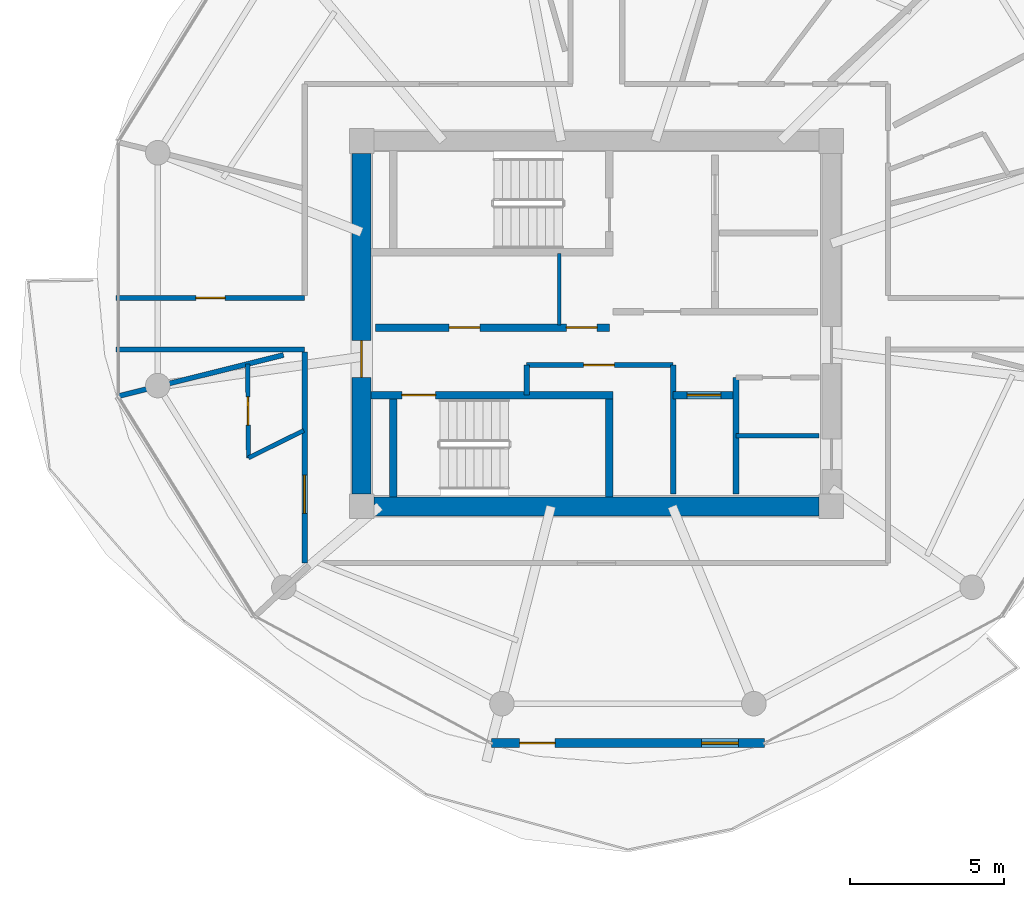
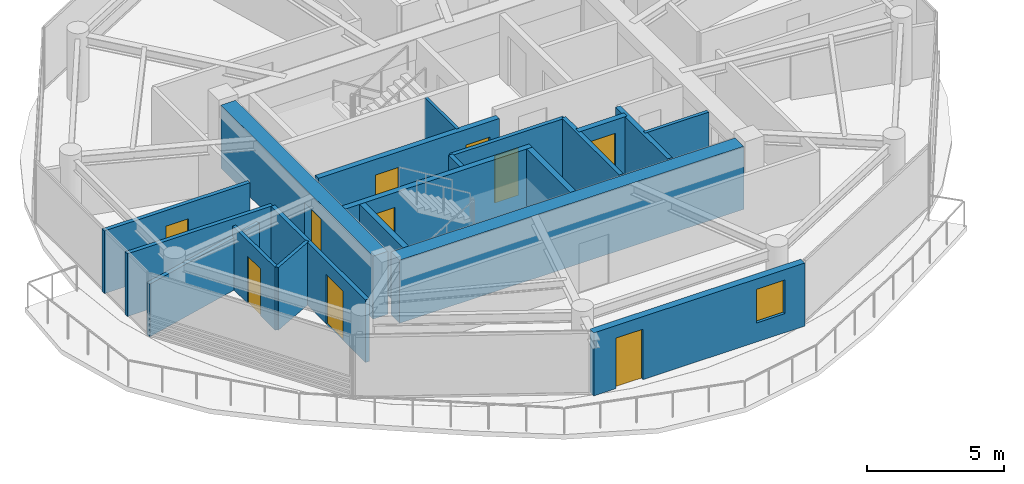
# One storey, part 12 of 22: 20 walls, 10 doors, 1 window, 11 openings.
"""IFC4 building model written with IfcOpenShell, lengths in metres."""

import ifcopenshell
import ifcopenshell.guid

model = None  # the IFC model being written
_history = None  # IfcOwnerHistory: only IFC2X3 demands one
_inside = {}  # id of a spatial element -> (the spatial element, [elements in it])
_under = {}  # id of a project, library or spatial element -> (it, [spatial elements below it])
_declared = {}  # id of a project -> (the project, [libraries it declares])
_typed = {}  # id of a type object -> (the type object, [elements of that type])
_made_of = {}  # id of a material, layer set ... -> (it, [elements and type objects made of it])


def new_model(schema):
    """Start an empty IFC model of exactly this schema.

    Asked for "IFC4X3", IfcOpenShell would pick the latest addendum, in which some entities
    have other attributes; the version numbers below select the first issue.
    IFC2X3 requires an IfcOwnerHistory on every rooted entity: one is made here for all.
    """
    global model, _history
    if schema == "IFC4X3":
        model = ifcopenshell.file(schema_version=(4, 3, 0, 0))
    else:
        model = ifcopenshell.file(schema=schema)
    _inside.clear()
    _under.clear()
    _declared.clear()
    _typed.clear()
    _made_of.clear()
    _history = None
    if model.schema == "IFC2X3":
        org = make("IfcOrganization", Name="unknown")
        user = make(
            "IfcPersonAndOrganization",
            ThePerson=make("IfcPerson", FamilyName="unknown"),
            TheOrganization=org,
        )
        app = make(
            "IfcApplication",
            ApplicationDeveloper=org,
            Version="unknown",
            ApplicationFullName="unknown",
            ApplicationIdentifier="unknown",
        )
        _history = make(
            "IfcOwnerHistory",
            OwningUser=user,
            OwningApplication=app,
            ChangeAction="ADDED",
            CreationDate=0,
        )
    return model


def make(cls, **values):
    """One entity of the class cls with the attributes given. An attribute that is None is left unset."""
    return model.create_entity(
        cls, **{name: value for name, value in values.items() if value is not None}
    )


def rooted(cls, **values):
    """An entity with a GlobalId (a new one), such as an element, a storey or a relation."""
    return make(cls, GlobalId=ifcopenshell.guid.new(), OwnerHistory=_history, **values)


def si_unit(unit_type, name, prefix=None):
    """IfcSIUnit, for example si_unit("LENGTHUNIT", "METRE", prefix="MILLI")."""
    return make("IfcSIUnit", UnitType=unit_type, Prefix=prefix, Name=name)


def assignment(units):
    """IfcUnitAssignment: the units of a project."""
    return None if units is None else make("IfcUnitAssignment", Units=units)


def point(xyz):
    """IfcCartesianPoint."""
    return None if xyz is None else make("IfcCartesianPoint", Coordinates=xyz)


def direction(xyz):
    """IfcDirection."""
    return None if xyz is None else make("IfcDirection", DirectionRatios=xyz)


def frame(location, z_axis=None, x_axis=None):
    """IfcAxis2Placement3D, a coordinate frame: its origin and axes. An axis left out is left unset."""
    return make(
        "IfcAxis2Placement3D",
        Location=point(location),
        Axis=direction(z_axis),
        RefDirection=direction(x_axis),
    )


def frame_2d(location, x_axis=None):
    """IfcAxis2Placement2D, a coordinate frame in the plane: its origin and x axis."""
    return make(
        "IfcAxis2Placement2D", Location=point(location), RefDirection=direction(x_axis)
    )


def origin():
    """The frame at (0, 0, 0) with its axes left unset."""
    return frame((0.0, 0.0, 0.0))


def place(relative_to, where):
    """IfcLocalPlacement: puts the frame where relative to a parent placement (None: the world)."""
    return make(
        "IfcLocalPlacement", PlacementRelTo=relative_to, RelativePlacement=where
    )


def context(
    kind, dimensions, precision=None, world=None, true_north=None, identifier=None
):
    """IfcGeometricRepresentationContext, for example the 3D "Model" context."""
    return make(
        "IfcGeometricRepresentationContext",
        ContextIdentifier=identifier,
        ContextType=kind,
        CoordinateSpaceDimension=dimensions,
        Precision=precision,
        WorldCoordinateSystem=world,
        TrueNorth=true_north,
    )


def subcontext(parent, identifier, kind, view, scale=None):
    """IfcGeometricRepresentationSubContext, for example "Body" below "Model"."""
    return make(
        "IfcGeometricRepresentationSubContext",
        ContextIdentifier=identifier,
        ContextType=kind,
        ParentContext=parent,
        TargetScale=scale,
        TargetView=view,
    )


def project(units=None, contexts=None):
    """IfcProject with its units and contexts."""
    return rooted(
        "IfcProject",
        Name="project",
        RepresentationContexts=contexts,
        UnitsInContext=assignment(units),
    )


def spatial(cls, under=None, at=None, **own):
    """A site, building, storey or space (cls), placed at a placement, below another one or the project."""
    s = rooted(cls, ObjectPlacement=at, **own)
    if under is not None:
        _under.setdefault(under.id(), (under, []))[1].append(s)
    return s


def profile(cls, at=None, kind="AREA", **sizes):
    """A parametric profile (cls). Its sizes go by their IFC names, for example OverallWidth=200.0."""
    return make(cls, ProfileType=kind, Position=at, **sizes)


def rectangle(**sizes):
    """IfcRectangleProfileDef."""
    return profile("IfcRectangleProfileDef", **sizes)


def extrude(swept, where, along, depth):
    """IfcExtrudedAreaSolid: the profile swept, set in the frame where, extruded along a direction by depth."""
    return make(
        "IfcExtrudedAreaSolid",
        SweptArea=swept,
        Position=where,
        ExtrudedDirection=direction(along),
        Depth=depth,
    )


def shape(context_of_items, identifier, shape_type, items):
    """IfcShapeRepresentation: the items that make up one representation, for example the "Body"."""
    return make(
        "IfcShapeRepresentation",
        ContextOfItems=context_of_items,
        RepresentationIdentifier=identifier,
        RepresentationType=shape_type,
        Items=items,
    )


def source(mapping_origin, context_of_items, identifier, shape_type, items):
    """IfcRepresentationMap: a shape defined once, which mapped items show again and again."""
    return make(
        "IfcRepresentationMap",
        MappingOrigin=mapping_origin,
        MappedRepresentation=shape(context_of_items, identifier, shape_type, items),
    )


def transform(
    local_origin,
    x_axis=None,
    y_axis=None,
    z_axis=None,
    scale=None,
    scale2=None,
    scale3=None,
    uniform=True,
):
    """IfcCartesianTransformationOperator3D, or its non-uniform kind. x_axis, y_axis, z_axis: its Axis1, 2, 3."""
    if uniform:
        return make(
            "IfcCartesianTransformationOperator3D",
            Axis1=direction(x_axis),
            Axis2=direction(y_axis),
            LocalOrigin=point(local_origin),
            Scale=scale,
            Axis3=direction(z_axis),
        )
    return make(
        "IfcCartesianTransformationOperator3DnonUniform",
        Axis1=direction(x_axis),
        Axis2=direction(y_axis),
        LocalOrigin=point(local_origin),
        Scale=scale,
        Axis3=direction(z_axis),
        Scale2=scale2,
        Scale3=scale3,
    )


def mapped(mapping_source, mapping_target):
    """IfcMappedItem: shows the shape of a source again, moved by a transform."""
    return make(
        "IfcMappedItem", MappingSource=mapping_source, MappingTarget=mapping_target
    )


def material(Name=None, Category=None):
    """IfcMaterial."""
    return make("IfcMaterial", Name=Name, Category=Category)


def layer(
    of_material, thickness, ventilated=None, Name=None, Category=None, Priority=None
):
    """IfcMaterialLayer: one layer of a wall or slab, of a material (None: an air gap)."""
    return make(
        "IfcMaterialLayer",
        Material=of_material,
        LayerThickness=thickness,
        IsVentilated=ventilated,
        Name=Name,
        Category=Category,
        Priority=Priority,
    )


def layer_set(layers, Name=None):
    """IfcMaterialLayerSet."""
    return make("IfcMaterialLayerSet", MaterialLayers=layers, LayerSetName=Name)


def made_of(thing, what):
    """Note that an element or type object is made of a material, layer set ...; save() writes the relation."""
    if what is not None:
        _made_of.setdefault(what.id(), (what, []))[1].append(thing)
    return thing


def type_object(cls, material=None, **own):
    """A type object (cls), such as IfcWallType, which elements share."""
    return made_of(rooted(cls, **own), material)


def type_shapes(of_type, sources):
    """Give a type object the sources (RepresentationMaps) that its elements show as mapped items."""
    of_type.RepresentationMaps = sources


def element(
    cls,
    number,
    at=None,
    inside=None,
    cuts=None,
    type_object=None,
    material=None,
    context=None,
    identifier="Body",
    shape_type=None,
    held_by="IfcProductDefinitionShape",
    body=None,
    shapes=None,
    **own,
):
    """One element of the class cls, such as IfcWall. Its Tag is "e" and its number.

    at: its placement. inside: the storey or other place that contains it. cuts: it is an
    opening in that element (IfcRelVoidsElement). A single representation is given by context,
    identifier, shape_type and body (its items); several are given by shapes. held_by: the class
    of the entity that holds the representations. save() writes the other relations.
    """
    e = rooted(cls, Tag="e%d" % number, ObjectPlacement=at, **own)
    if body is not None:
        shapes = [shape(context, identifier, shape_type, body)]
    if shapes is not None:
        e.Representation = make(held_by, Representations=shapes)
    if inside is not None:
        _inside.setdefault(inside.id(), (inside, []))[1].append(e)
    if cuts is not None:
        rooted(
            "IfcRelVoidsElement", RelatingBuildingElement=cuts, RelatedOpeningElement=e
        )
    if type_object is not None:
        _typed.setdefault(type_object.id(), (type_object, []))[1].append(e)
    return made_of(e, material)


def fill(opening, filler):
    """IfcRelFillsElement: the door or window that sits in an opening."""
    return rooted(
        "IfcRelFillsElement",
        RelatingOpeningElement=opening,
        RelatedBuildingElement=filler,
    )


def aggregate(whole, parts):
    """IfcRelAggregates: a whole, such as a stair, and the parts it consists of."""
    return rooted("IfcRelAggregates", RelatingObject=whole, RelatedObjects=parts)


def save(model, path):
    """Write the relations noted so far, then the file.

    IfcRelAggregates (storeys below a building ...), IfcRelContainedInSpatialStructure (elements
    in a storey), IfcRelDefinesByType, IfcRelAssociatesMaterial and IfcRelDeclares: one each for
    every whole, place, type object, material and project.
    """
    for whole, parts in _under.values():
        aggregate(whole, parts)
    for where, things in _inside.values():
        rooted(
            "IfcRelContainedInSpatialStructure",
            RelatedElements=things,
            RelatingStructure=where,
        )
    for kind, things in _typed.values():
        rooted("IfcRelDefinesByType", RelatedObjects=things, RelatingType=kind)
    for what, things in _made_of.values():
        rooted("IfcRelAssociatesMaterial", RelatedObjects=things, RelatingMaterial=what)
    for by, libraries in _declared.values():
        rooted("IfcRelDeclares", RelatingContext=by, RelatedDefinitions=libraries)
    model.write(path)


model = new_model("IFC4")

# Units and contexts
model_context = context("Model", 3, precision=1e-05, world=origin(), true_north=direction((0.0, 1.0)))
body_context = subcontext(model_context, "Body", "Model", "MODEL_VIEW")
ifc_project = project(units=[si_unit("LENGTHUNIT", "METRE"), si_unit("AREAUNIT", "SQUARE_METRE"), si_unit("VOLUMEUNIT", "CUBIC_METRE"), si_unit("PLANEANGLEUNIT", "RADIAN"), si_unit("MASSUNIT", "GRAM", prefix="KILO")], contexts=[model_context])

# Site, building, storey
site_placement = place(None, origin())
site = spatial("IfcSite", under=ifc_project, at=site_placement, CompositionType="ELEMENT")
building_placement = place(site_placement, origin())
building = spatial("IfcBuilding", under=site, at=building_placement, Name="Norrkilde Senior Care Towers", CompositionType="ELEMENT")
storey_placement = place(building_placement, frame((0.0, 0.0, 167.85009765625)))
storey = spatial("IfcBuildingStorey", under=building, at=storey_placement, Name="L52", CompositionType="ELEMENT", Elevation=167.85009765625)

# Wall
ifc_material_1 = material(Name="Concrete C50/60", Category="concrete")
ifc_layer_1 = layer(ifc_material_1, 0.6201171875)
ifc_layer_set_1 = layer_set([ifc_layer_1], Name="Concrete C50/60")
wall_type_1 = type_object("IfcWallType", Name="Core Shear Wall Z3 620", PredefinedType="SHEAR", material=ifc_layer_set_1)
shared_shape_1 = source(origin(), body_context, "Body", "SweptSolid", [
    extrude(rectangle(XDim=14.5, YDim=0.6201171875, at=frame_2d((7.25, 0.0))), origin(), (0.0, 0.0, 1.0), 2.809814453125),
])
wall_1_placement = place(storey_placement, frame((-20.75, -5.949951171875, 0.0), z_axis=(0.0, 0.0, 1.0), x_axis=(-1.0, 0.0, 0.0)))
element("IfcWall", 1, at=wall_1_placement, inside=storey, type_object=wall_type_1, Name="L52 Core W South Shear Wall", PredefinedType="SHEAR", context=body_context, shape_type="MappedRepresentation", body=[
    mapped(shared_shape_1, transform((0.0, 0.0, 0.0), x_axis=(1.0, 0.0, 0.0), y_axis=(0.0, 1.0, 0.0), z_axis=(0.0, 0.0, 1.0), scale=1.0)),
])

# Wall, opening, door
shared_shape_2 = source(origin(), body_context, "Body", "SweptSolid", [
    extrude(rectangle(XDim=11.10009765625, YDim=0.6201171875, at=frame_2d((5.550048828125, 0.0))), origin(), (0.0, 0.0, 1.0), 2.809814453125),
])
type_shapes(wall_type_1, [shared_shape_1, shared_shape_2])
wall_2_placement = place(storey_placement, frame((-35.64990234375, -5.550048828125, 0.0), z_axis=(0.0, 0.0, 1.0), x_axis=(0.0, 1.0, 0.0)))
wall_2 = element("IfcWall", 2, at=wall_2_placement, inside=storey, type_object=wall_type_1, Name="L52 Core W West Shear Wall", PredefinedType="SHEAR", context=body_context, shape_type="MappedRepresentation", body=[
    mapped(shared_shape_2, transform((0.0, 0.0, 0.0), x_axis=(1.0, 0.0, 0.0), y_axis=(0.0, 1.0, 0.0), z_axis=(0.0, 0.0, 1.0), scale=1.0)),
])
opening_1_placement = place(wall_2_placement, frame((3.800048828125, 0.0, 0.0)))
opening_1 = element("IfcOpeningElement", 3, at=opening_1_placement, cuts=wall_2, Name="Opening D-04", PredefinedType="OPENING", context=body_context, shape_type="SweptSolid", body=[
    extrude(rectangle(XDim=1.199951171875, YDim=2.14990234375, at=frame_2d((0.60009765625, 1.074951171875))), frame((0.0, 0.320068359375, 0.0), z_axis=(0.0, -1.0, 0.0), x_axis=(1.0, 0.0, 0.0)), (0.0, 0.0, 1.0), 0.64013671875),
])
ifc_material_2 = material(Name="Galvanised Painted Steel", Category="steel")
door_type_1 = type_object("IfcDoorType", Name="Firefighting Lobby Fire Door 1200x2150", OperationType="NOTDEFINED", PredefinedType="DOOR", material=ifc_material_2)
shared_shape_3 = source(origin(), body_context, "Body", "SweptSolid", [
    extrude(rectangle(XDim=1.199951171875, YDim=2.14990234375, at=frame_2d((0.60009765625, 1.074951171875))), frame((0.0, 0.02490234375, 0.0), z_axis=(0.0, -1.0, 0.0), x_axis=(1.0, 0.0, 0.0)), (0.0, 0.0, 1.0), 0.050048828125),
])
type_shapes(door_type_1, [shared_shape_3])
door_1_placement = place(opening_1_placement, frame((1.199951171875, 0.0, 0.0), z_axis=(0.0, 0.0, 1.0), x_axis=(-1.0, 0.0, 0.0)))
door_1 = element("IfcDoor", 4, at=door_1_placement, inside=storey, type_object=door_type_1, Name="L52 Core W West Portal Door", OperationType="SINGLE_SWING_LEFT", OverallHeight=2.14990234375, OverallWidth=1.199951171875, PredefinedType="DOOR", context=body_context, shape_type="MappedRepresentation", body=[
    mapped(shared_shape_3, transform((0.0, 0.0, 0.0), x_axis=(1.0, 0.0, 0.0), y_axis=(0.0, 1.0, 0.0), z_axis=(0.0, 0.0, 1.0), scale=1.0)),
])
fill(opening_1, door_1)

# Wall, openings, door, window
ifc_material_3 = material(Name="Precast concrete C45/55", Category="concrete")
ifc_layer_2 = layer(ifc_material_3, 0.2900390625)
ifc_layer_set_2 = layer_set([ifc_layer_2], Name="Precast concrete C45/55")
wall_type_2 = type_object("IfcWallType", Name="Winter Garden Facade Wall 290", PredefinedType="SOLIDWALL", material=ifc_layer_set_2)
shared_shape_4 = source(origin(), body_context, "Body", "SweptSolid", [
    extrude(rectangle(XDim=8.89306640625, YDim=0.2900390625, at=frame_2d((4.446533203125, 0.0))), origin(), (0.0, 0.0, 1.0), 2.809814453125),
])
type_shapes(wall_type_2, [shared_shape_4])
wall_3_placement = place(storey_placement, frame((-22.528564453125, -13.66015625, 0.0), z_axis=(0.0, 0.0, 1.0), x_axis=(-1.0, 0.0, 0.0)))
wall_3 = element("IfcWall", 5, at=wall_3_placement, inside=storey, type_object=wall_type_2, Name="L52 Drum W Balcony Access Wall 08", PredefinedType="SOLIDWALL", context=body_context, shape_type="MappedRepresentation", body=[
    mapped(shared_shape_4, transform((0.0, 0.0, 0.0), x_axis=(1.0, 0.0, 0.0), y_axis=(0.0, 1.0, 0.0), z_axis=(0.0, 0.0, 1.0), scale=1.0)),
])
opening_2_placement = place(wall_3_placement, frame((6.820068359375, 0.0, 0.0)))
opening_2 = element("IfcOpeningElement", 6, at=opening_2_placement, cuts=wall_3, Name="Opening D-09", PredefinedType="OPENING", context=body_context, shape_type="SweptSolid", body=[
    extrude(rectangle(XDim=1.14990234375, YDim=2.25, at=frame_2d((0.574951171875, 1.125))), frame((0.0, 0.155029296875, 0.0), z_axis=(0.0, -1.0, 0.0), x_axis=(1.0, 0.0, 0.0)), (0.0, 0.0, 1.0), 0.31005859375),
])
opening_3_placement = place(wall_3_placement, frame((0.85009765625, 0.0, 0.85009765625)))
opening_3 = element("IfcOpeningElement", 7, at=opening_3_placement, cuts=wall_3, Name="Opening WN-07", PredefinedType="OPENING", context=body_context, shape_type="SweptSolid", body=[
    extrude(rectangle(XDim=1.199951171875, YDim=1.5, at=frame_2d((0.60009765625, 0.75))), frame((0.0, 0.155029296875, 0.0), z_axis=(0.0, -1.0, 0.0), x_axis=(1.0, 0.0, 0.0)), (0.0, 0.0, 1.0), 0.31005859375),
])
ifc_material_4 = material(Name="Anodised Aluminium", Category="aluminium")
door_type_2 = type_object("IfcDoorType", Name="Terrace and Balcony Glazed Door 1150x2250", OperationType="NOTDEFINED", PredefinedType="DOOR", material=ifc_material_4)
shared_shape_5 = source(origin(), body_context, "Body", "SweptSolid", [
    extrude(rectangle(XDim=1.14990234375, YDim=2.25, at=frame_2d((0.574951171875, 1.125))), frame((0.0, 0.02490234375, 0.0), z_axis=(0.0, -1.0, 0.0), x_axis=(1.0, 0.0, 0.0)), (0.0, 0.0, 1.0), 0.050048828125),
])
type_shapes(door_type_2, [shared_shape_5])
door_2_placement = place(opening_2_placement, origin())
door_2 = element("IfcDoor", 8, at=door_2_placement, inside=storey, type_object=door_type_2, Name="L52 Drum W Outdoor Terrace Door 08", OperationType="SINGLE_SWING_LEFT", OverallHeight=2.25, OverallWidth=1.14990234375, PredefinedType="DOOR", context=body_context, shape_type="MappedRepresentation", body=[
    mapped(shared_shape_5, transform((0.0, 0.0, 0.0), x_axis=(1.0, 0.0, 0.0), y_axis=(0.0, 1.0, 0.0), z_axis=(0.0, 0.0, 1.0), scale=1.0)),
])
fill(opening_2, door_2)
ifc_material_5 = material(Name="Triple Low-E Insulated Glazing", Category="glass")
window_type = type_object("IfcWindowType", Name="Stairwell Smoke Vent Window 1200x1500", PartitioningType="SINGLE_PANEL", PredefinedType="WINDOW", material=ifc_material_5)
shared_shape_6 = source(origin(), body_context, "Body", "SweptSolid", [
    extrude(rectangle(XDim=1.199951171875, YDim=1.5, at=frame_2d((0.60009765625, 0.75))), frame((0.0, 0.030029296875, 0.0), z_axis=(0.0, -1.0, 0.0), x_axis=(1.0, 0.0, 0.0)), (0.0, 0.0, 1.0), 0.06005859375),
])
type_shapes(window_type, [shared_shape_6])
window_placement = place(opening_3_placement, origin())
window = element("IfcWindow", 9, at=window_placement, inside=storey, type_object=window_type, Name="L52 Drum W Winter Garden Window 08", OverallHeight=1.5, OverallWidth=1.199951171875, PartitioningType="SINGLE_PANEL", PredefinedType="WINDOW", context=body_context, shape_type="MappedRepresentation", body=[
    mapped(shared_shape_6, transform((0.0, 0.0, 0.0), x_axis=(1.0, 0.0, 0.0), y_axis=(0.0, 1.0, 0.0), z_axis=(0.0, 0.0, 1.0), scale=1.0)),
])
fill(opening_3, window)

# Wall, openings, doors
ifc_material_6 = material(Name="Concrete C45/55", Category="concrete")
ifc_layer_3 = layer(ifc_material_6, 0.239990234375)
ifc_layer_set_3 = layer_set([ifc_layer_3], Name="Concrete C45/55")
wall_type_3 = type_object("IfcWallType", Name="Lift and Plant Rated Enclosure Partition 240", PredefinedType="PARTITIONING", material=ifc_layer_set_3)
shared_shape_7 = source(origin(), body_context, "Body", "SweptSolid", [
    extrude(rectangle(XDim=7.619873046875, YDim=0.239990234375, at=frame_2d((3.81005859375, 0.0))), origin(), (0.0, 0.0, 1.0), 2.794921875),
])
wall_4_placement = place(storey_placement, frame((-35.199951171875, -0.1298828125, 0.0), z_axis=(0.0, 0.0, 1.0), x_axis=(1.0, 0.0, 0.0)))
wall_4 = element("IfcWall", 10, at=wall_4_placement, inside=storey, type_object=wall_type_3, Name="WL-INT-L52-W-PKAS", PredefinedType="PARTITIONING", context=body_context, shape_type="MappedRepresentation", body=[
    mapped(shared_shape_7, transform((0.0, 0.0, 0.0), x_axis=(1.0, 0.0, 0.0), y_axis=(0.0, 1.0, 0.0), z_axis=(0.0, 0.0, 1.0), scale=1.0)),
])
opening_4_placement = place(wall_4_placement, frame((6.219970703125, 0.0, 0.0)))
opening_4 = element("IfcOpeningElement", 11, at=opening_4_placement, cuts=wall_4, Name="Opening D-10", PredefinedType="OPENING", context=body_context, shape_type="SweptSolid", body=[
    extrude(rectangle(XDim=1.0, YDim=2.10009765625, at=frame_2d((0.5, 1.050048828125))), frame((0.0, 0.1298828125, 0.0), z_axis=(0.0, -1.0, 0.0), x_axis=(1.0, 0.0, 0.0)), (0.0, 0.0, 1.0), 0.260009765625),
])
opening_5_placement = place(wall_4_placement, frame((2.39990234375, 0.0, 0.0)))
opening_5 = element("IfcOpeningElement", 12, at=opening_5_placement, cuts=wall_4, Name="Opening D-10", PredefinedType="OPENING", context=body_context, shape_type="SweptSolid", body=[
    extrude(rectangle(XDim=1.0, YDim=2.10009765625, at=frame_2d((0.5, 1.050048828125))), frame((0.0, 0.1298828125, 0.0), z_axis=(0.0, -1.0, 0.0), x_axis=(1.0, 0.0, 0.0)), (0.0, 0.0, 1.0), 0.260009765625),
])
door_type_3 = type_object("IfcDoorType", Name="Plant and Riser Rated Door 1000x2100", OperationType="NOTDEFINED", PredefinedType="DOOR", material=ifc_material_2)
shared_shape_8 = source(origin(), body_context, "Body", "SweptSolid", [
    extrude(rectangle(XDim=1.0, YDim=2.10009765625, at=frame_2d((0.5, 1.050048828125))), frame((0.0, 0.02490234375, 0.0), z_axis=(0.0, -1.0, 0.0), x_axis=(1.0, 0.0, 0.0)), (0.0, 0.0, 1.0), 0.050048828125),
])
type_shapes(door_type_3, [shared_shape_8])
door_3_placement = place(opening_4_placement, frame((1.0, 0.0, 0.0), z_axis=(0.0, 0.0, 1.0), x_axis=(-1.0, 0.0, 0.0)))
door_3 = element("IfcDoor", 13, at=door_3_placement, inside=storey, type_object=door_type_3, Name="L52 Electrical Riser W Door", OperationType="SINGLE_SWING_LEFT", OverallHeight=2.10009765625, OverallWidth=1.0, PredefinedType="DOOR", context=body_context, shape_type="MappedRepresentation", body=[
    mapped(shared_shape_8, transform((0.0, 0.0, 0.0), x_axis=(1.0, 0.0, 0.0), y_axis=(0.0, 1.0, 0.0), z_axis=(0.0, 0.0, 1.0), scale=1.0)),
])
fill(opening_4, door_3)
door_4_placement = place(opening_5_placement, frame((1.0, 0.0, 0.0), z_axis=(0.0, 0.0, 1.0), x_axis=(-1.0, 0.0, 0.0)))
door_4 = element("IfcDoor", 14, at=door_4_placement, inside=storey, type_object=door_type_3, Name="L52 Clean Supply Store W Door", OperationType="SINGLE_SWING_LEFT", OverallHeight=2.10009765625, OverallWidth=1.0, PredefinedType="DOOR", context=body_context, shape_type="MappedRepresentation", body=[
    mapped(shared_shape_8, transform((0.0, 0.0, 0.0), x_axis=(1.0, 0.0, 0.0), y_axis=(0.0, 1.0, 0.0), z_axis=(0.0, 0.0, 1.0), scale=1.0)),
])
fill(opening_5, door_4)

# Walls
ifc_material_7 = material(Name="Gypsum Acoustic Board")
ifc_layer_4 = layer(ifc_material_7, 0.114990234375)
ifc_layer_set_4 = layer_set([ifc_layer_4], Name="Gypsum Acoustic Board")
wall_type_4 = type_object("IfcWallType", Name="Internal Room Partition 115", PredefinedType="PARTITIONING", material=ifc_layer_set_4)
shared_shape_9 = source(origin(), body_context, "Body", "SweptSolid", [
    extrude(rectangle(XDim=2.330078125, YDim=0.114990234375, at=frame_2d((1.1650390625, 0.0))), origin(), (0.0, 0.0, 1.0), 2.794921875),
])
type_shapes(wall_type_4, [shared_shape_9])
wall_5_placement = place(storey_placement, frame((-29.2099609375, -0.050048828125, 0.0), z_axis=(0.0, 0.0, 1.0), x_axis=(0.0, 1.0, 0.0)))
element("IfcWall", 15, at=wall_5_placement, inside=storey, type_object=wall_type_4, Name="WL-INT-L52-W-RISW", PredefinedType="PARTITIONING", context=body_context, shape_type="MappedRepresentation", body=[
    mapped(shared_shape_9, transform((0.0, 0.0, 0.0), x_axis=(1.0, 0.0, 0.0), y_axis=(0.0, 1.0, 0.0), z_axis=(0.0, 0.0, 1.0), scale=1.0)),
])
ifc_layer_5 = layer(ifc_material_6, 0.199951171875)
ifc_layer_set_5 = layer_set([ifc_layer_5], Name="Concrete C45/55")
wall_type_5 = type_object("IfcWallType", Name="Shaft Division and Plant Partition 200", PredefinedType="PARTITIONING", material=ifc_layer_set_5)
shared_shape_10 = source(origin(), body_context, "Body", "SweptSolid", [
    extrude(rectangle(XDim=3.800048828125, YDim=0.199951171875, at=frame_2d((1.89990234375, 0.0))), origin(), (0.0, 0.0, 1.0), 2.794921875),
])
type_shapes(wall_type_5, [shared_shape_10])
wall_6_placement = place(storey_placement, frame((-23.449951171875, -5.550048828125, 0.0), z_axis=(0.0, 0.0, 1.0), x_axis=(0.0, 1.0, 0.0)))
element("IfcWall", 16, at=wall_6_placement, inside=storey, type_object=wall_type_5, Name="WL-INT-L52-W-PKBE", PredefinedType="PARTITIONING", context=body_context, shape_type="MappedRepresentation", body=[
    mapped(shared_shape_10, transform((0.0, 0.0, 0.0), x_axis=(1.0, 0.0, 0.0), y_axis=(0.0, 1.0, 0.0), z_axis=(0.0, 0.0, 1.0), scale=1.0)),
])
ifc_layer_6 = layer(ifc_material_7, 0.139892578125)
ifc_layer_set_6 = layer_set([ifc_layer_6], Name="Gypsum Acoustic Board")
wall_type_6 = type_object("IfcWallType", Name="En-suite Wet Room Wall 140", PredefinedType="PARTITIONING", material=ifc_layer_set_6)
shared_shape_11 = source(origin(), body_context, "Body", "SweptSolid", [
    extrude(rectangle(XDim=2.699951171875, YDim=0.139892578125, at=frame_2d((1.35009765625, 0.0))), origin(), (0.0, 0.0, 1.0), 2.794921875),
])
wall_7_placement = place(storey_placement, frame((-23.449951171875, -3.64990234375, 0.0), z_axis=(0.0, 0.0, 1.0), x_axis=(1.0, 0.0, 0.0)))
element("IfcWall", 17, at=wall_7_placement, inside=storey, type_object=wall_type_6, Name="WL-INT-L52-W-CS2H", PredefinedType="PARTITIONING", context=body_context, shape_type="MappedRepresentation", body=[
    mapped(shared_shape_11, transform((0.0, 0.0, 0.0), x_axis=(1.0, 0.0, 0.0), y_axis=(0.0, 1.0, 0.0), z_axis=(0.0, 0.0, 1.0), scale=1.0)),
])

# Wall, opening, door
ifc_layer_7 = layer(ifc_material_6, 0.239990234375)
ifc_layer_set_7 = layer_set([ifc_layer_7], Name="Concrete C45/55")
wall_type_7 = type_object("IfcWallType", Name="Shaft and Stair Enclosure Wall 240", PredefinedType="PARTITIONING", material=ifc_layer_set_7)
shared_shape_12 = source(origin(), body_context, "Body", "SweptSolid", [
    extrude(rectangle(XDim=7.880126953125, YDim=0.239990234375, at=frame_2d((3.93994140625, 0.0))), origin(), (0.0, 0.0, 1.0), 2.809814453125),
])
wall_8_placement = place(storey_placement, frame((-35.340087890625, -2.330078125, 0.0), z_axis=(0.0, 0.0, 1.0), x_axis=(1.0, 0.0, 0.0)))
wall_8 = element("IfcWall", 18, at=wall_8_placement, inside=storey, type_object=wall_type_7, Name="WL-INT-L52-W-ST2N", PredefinedType="PARTITIONING", context=body_context, shape_type="MappedRepresentation", body=[
    mapped(shared_shape_12, transform((0.0, 0.0, 0.0), x_axis=(1.0, 0.0, 0.0), y_axis=(0.0, 1.0, 0.0), z_axis=(0.0, 0.0, 1.0), scale=1.0)),
])
opening_6_placement = place(wall_8_placement, frame((1.0, 0.0, 0.0)))
opening_6 = element("IfcOpeningElement", 19, at=opening_6_placement, cuts=wall_8, Name="Opening D-03", PredefinedType="OPENING", context=body_context, shape_type="SweptSolid", body=[
    extrude(rectangle(XDim=1.10009765625, YDim=2.14990234375, at=frame_2d((0.550048828125, 1.074951171875))), frame((0.0, 0.1298828125, 0.0), z_axis=(0.0, -1.0, 0.0), x_axis=(1.0, 0.0, 0.0)), (0.0, 0.0, 1.0), 0.260009765625),
])
door_type_4 = type_object("IfcDoorType", Name="Stairwell Protected Fire Door 1100x2150", OperationType="NOTDEFINED", PredefinedType="DOOR", material=ifc_material_2)
shared_shape_13 = source(origin(), body_context, "Body", "SweptSolid", [
    extrude(rectangle(XDim=1.10009765625, YDim=2.14990234375, at=frame_2d((0.550048828125, 1.074951171875))), frame((0.0, 0.02490234375, 0.0), z_axis=(0.0, -1.0, 0.0), x_axis=(1.0, 0.0, 0.0)), (0.0, 0.0, 1.0), 0.050048828125),
])
type_shapes(door_type_4, [shared_shape_13])
door_5_placement = place(opening_6_placement, frame((1.10009765625, 0.0, 0.0), z_axis=(0.0, 0.0, 1.0), x_axis=(-1.0, 0.0, 0.0)))
door_5 = element("IfcDoor", 20, at=door_5_placement, inside=storey, type_object=door_type_4, Name="L52 Stair W2 Fire Door", OperationType="SINGLE_SWING_RIGHT", OverallHeight=2.14990234375, OverallWidth=1.10009765625, PredefinedType="DOOR", context=body_context, shape_type="MappedRepresentation", body=[
    mapped(shared_shape_13, transform((0.0, 0.0, 0.0), x_axis=(1.0, 0.0, 0.0), y_axis=(0.0, 1.0, 0.0), z_axis=(0.0, 0.0, 1.0), scale=1.0)),
])
fill(opening_6, door_5)

# Walls
shared_shape_14 = source(origin(), body_context, "Body", "SweptSolid", [
    extrude(rectangle(XDim=3.18994140625, YDim=0.239990234375, at=frame_2d((1.594970703125, 0.0))), origin(), (0.0, 0.0, 1.0), 2.809814453125),
])
type_shapes(wall_type_7, [shared_shape_12, shared_shape_14])
for number, where, z_axis, x_axis, name in (
    (21, (-34.6201171875, -5.639892578125, 0.0), (0.0, 0.0, 1.0), (0.0, 1.0, 0.0), "WL-INT-L52-W-ST2W"),
    (22, (-27.580078125, -5.639892578125, 0.0), (0.0, 0.0, 1.0), (0.0, 1.0, 0.0), "WL-INT-L52-W-ST2E"),
):
    element("IfcWall", number, at=place(storey_placement, frame(where, z_axis=z_axis, x_axis=x_axis)), inside=storey, type_object=wall_type_7, Name=name, PredefinedType="PARTITIONING", context=body_context, shape_type="MappedRepresentation", body=[
        mapped(shared_shape_14, transform((0.0, 0.0, 0.0), x_axis=(1.0, 0.0, 0.0), y_axis=(0.0, 1.0, 0.0), z_axis=(0.0, 0.0, 1.0), scale=1.0)),
    ])
shared_shape_15 = source(origin(), body_context, "Body", "SweptSolid", [
    extrude(rectangle(XDim=2.012939453125, YDim=0.139892578125, at=frame_2d((1.00634765625, 0.0))), origin(), (0.0, 0.0, 1.0), 2.794921875),
])
wall_9_placement = place(storey_placement, frame((-37.530029296875, -3.4755859375, 0.0), z_axis=(0.0, 0.0, 1.0), x_axis=(-0.895347078862, -0.445369069843, 0.0)))
element("IfcWall", 23, at=wall_9_placement, inside=storey, type_object=wall_type_6, Name="WL-INT-L52-W-ES-06", PredefinedType="PARTITIONING", context=body_context, shape_type="MappedRepresentation", body=[
    mapped(shared_shape_15, transform((0.0, 0.0, 0.0), x_axis=(1.0, 0.0, 0.0), y_axis=(0.0, 1.0, 0.0), z_axis=(0.0, 0.0, 1.0), scale=1.0)),
])
ifc_layer_8 = layer(ifc_material_7, 0.1650390625)
ifc_layer_set_8 = layer_set([ifc_layer_8], Name="Gypsum Acoustic Board")
wall_type_8 = type_object("IfcWallType", Name="Corridor Rated Partition 165", PredefinedType="PARTITIONING", material=ifc_layer_set_8)
shared_shape_16 = source(origin(), body_context, "Body", "SweptSolid", [
    extrude(rectangle(XDim=5.564208984375, YDim=0.1650390625, at=frame_2d((2.7822265625, 0.0))), origin(), (0.0, 0.0, 1.0), 2.344970703125),
])
wall_10_placement = place(storey_placement, frame((-38.18994140625, -1.02001953125, 0.0), z_axis=(0.0, 0.0, 1.0), x_axis=(-0.97031260977, -0.241854169533, 0.0)))
element("IfcWall", 24, at=wall_10_placement, inside=storey, type_object=wall_type_8, Name="WL-INT-L52-W-DEM-06-0", PredefinedType="PARTITIONING", context=body_context, shape_type="MappedRepresentation", body=[
    mapped(shared_shape_16, transform((0.0, 0.0, 0.0), x_axis=(1.0, 0.0, 0.0), y_axis=(0.0, 1.0, 0.0), z_axis=(0.0, 0.0, 1.0), scale=1.0)),
])

# Wall, opening, door
shared_shape_17 = source(origin(), body_context, "Body", "SweptSolid", [
    extrude(rectangle(XDim=2.050048828125, YDim=0.239990234375, at=frame_2d((1.02490234375, 0.0))), origin(), (0.0, 0.0, 1.0), 2.794921875),
])
type_shapes(wall_type_3, [shared_shape_7, shared_shape_17])
wall_11_placement = place(storey_placement, frame((-25.5, -2.330078125, 0.0), z_axis=(0.0, 0.0, 1.0), x_axis=(1.0, 0.0, 0.0)))
wall_11 = element("IfcWall", 25, at=wall_11_placement, inside=storey, type_object=wall_type_3, Name="WL-INT-L52-W-PL4N", PredefinedType="PARTITIONING", context=body_context, shape_type="MappedRepresentation", body=[
    mapped(shared_shape_17, transform((0.0, 0.0, 0.0), x_axis=(1.0, 0.0, 0.0), y_axis=(0.0, 1.0, 0.0), z_axis=(0.0, 0.0, 1.0), scale=1.0)),
])
opening_7_placement = place(wall_11_placement, frame((0.449951171875, 0.0, 0.0)))
opening_7 = element("IfcOpeningElement", 26, at=opening_7_placement, cuts=wall_11, Name="Opening LD-01", PredefinedType="OPENING", context=body_context, shape_type="SweptSolid", body=[
    extrude(rectangle(XDim=1.10009765625, YDim=2.199951171875, at=frame_2d((0.550048828125, 1.10009765625))), frame((0.0, 0.1298828125, 0.0), z_axis=(0.0, -1.0, 0.0), x_axis=(1.0, 0.0, 0.0)), (0.0, 0.0, 1.0), 0.260009765625),
])
ifc_material_8 = material(Name="Stainless Steel", Category="steel")
door_type_5 = type_object("IfcDoorType", Name="Lift Landing Sliding Door 1100x2200", OperationType="NOTDEFINED", PredefinedType="DOOR", material=ifc_material_8)
shared_shape_18 = source(origin(), body_context, "Body", "SweptSolid", [
    extrude(rectangle(XDim=1.10009765625, YDim=2.199951171875, at=frame_2d((0.550048828125, 1.10009765625))), frame((0.0, 0.02490234375, 0.0), z_axis=(0.0, -1.0, 0.0), x_axis=(1.0, 0.0, 0.0)), (0.0, 0.0, 1.0), 0.050048828125),
])
type_shapes(door_type_5, [shared_shape_18])
door_6_placement = place(opening_7_placement, frame((1.10009765625, 0.0, 0.0), z_axis=(0.0, 0.0, 1.0), x_axis=(-1.0, 0.0, 0.0)))
door_6 = element("IfcDoor", 27, at=door_6_placement, inside=storey, type_object=door_type_5, Name="L52 Passenger Lift W4 Landing Door", OperationType="SLIDING_TO_RIGHT", OverallHeight=2.199951171875, OverallWidth=1.10009765625, PredefinedType="DOOR", context=body_context, shape_type="MappedRepresentation", body=[
    mapped(shared_shape_18, transform((0.0, 0.0, 0.0), x_axis=(1.0, 0.0, 0.0), y_axis=(0.0, 1.0, 0.0), z_axis=(0.0, 0.0, 1.0), scale=1.0)),
])
fill(opening_7, door_6)

# Wall
ifc_layer_9 = layer(ifc_material_6, 0.179931640625)
ifc_layer_set_9 = layer_set([ifc_layer_9], Name="Concrete C45/55")
wall_type_9 = type_object("IfcWallType", Name="Hoistway Division Rated Partition 180", PredefinedType="PARTITIONING", material=ifc_layer_set_9)
shared_shape_19 = source(origin(), body_context, "Body", "SweptSolid", [
    extrude(rectangle(XDim=4.199951171875, YDim=0.179931640625, at=frame_2d((2.10009765625, 0.0))), origin(), (0.0, 0.0, 1.0), 2.794921875),
])
type_shapes(wall_type_9, [shared_shape_19])
wall_12_placement = place(storey_placement, frame((-25.5, -5.550048828125, 0.0), z_axis=(0.0, 0.0, 1.0), x_axis=(0.0, 1.0, 0.0)))
element("IfcWall", 28, at=wall_12_placement, inside=storey, type_object=wall_type_9, Name="WL-INT-L52-W-PL4W", PredefinedType="PARTITIONING", context=body_context, shape_type="MappedRepresentation", body=[
    mapped(shared_shape_19, transform((0.0, 0.0, 0.0), x_axis=(1.0, 0.0, 0.0), y_axis=(0.0, 1.0, 0.0), z_axis=(0.0, 0.0, 1.0), scale=1.0)),
])

# Wall, opening, door
shared_shape_20 = source(origin(), body_context, "Body", "SweptSolid", [
    extrude(rectangle(XDim=4.77001953125, YDim=0.1650390625, at=frame_2d((2.385009765625, 0.0))), origin(), (0.0, 0.0, 1.0), 2.794921875),
])
wall_13_placement = place(storey_placement, frame((-30.27001953125, -1.35009765625, 0.0), z_axis=(0.0, 0.0, 1.0), x_axis=(1.0, 0.0, 0.0)))
wall_13 = element("IfcWall", 29, at=wall_13_placement, inside=storey, type_object=wall_type_8, Name="WL-INT-L52-W-FR2N", PredefinedType="PARTITIONING", context=body_context, shape_type="MappedRepresentation", body=[
    mapped(shared_shape_20, transform((0.0, 0.0, 0.0), x_axis=(1.0, 0.0, 0.0), y_axis=(0.0, 1.0, 0.0), z_axis=(0.0, 0.0, 1.0), scale=1.0)),
])
opening_8_placement = place(wall_13_placement, frame((1.85009765625, 0.0, 0.0)))
opening_8 = element("IfcOpeningElement", 30, at=opening_8_placement, cuts=wall_13, Name="Opening D-10", PredefinedType="OPENING", context=body_context, shape_type="SweptSolid", body=[
    extrude(rectangle(XDim=1.0, YDim=2.10009765625, at=frame_2d((0.5, 1.050048828125))), frame((0.0, 0.092529296875, 0.0), z_axis=(0.0, -1.0, 0.0), x_axis=(1.0, 0.0, 0.0)), (0.0, 0.0, 1.0), 0.18505859375),
])
door_7_placement = place(opening_8_placement, origin())
door_7 = element("IfcDoor", 31, at=door_7_placement, inside=storey, type_object=door_type_3, Name="L52 Core Pantry W Door", OperationType="SINGLE_SWING_RIGHT", OverallHeight=2.10009765625, OverallWidth=1.0, PredefinedType="DOOR", context=body_context, shape_type="MappedRepresentation", body=[
    mapped(shared_shape_8, transform((0.0, 0.0, 0.0), x_axis=(1.0, 0.0, 0.0), y_axis=(0.0, 1.0, 0.0), z_axis=(0.0, 0.0, 1.0), scale=1.0)),
])
fill(opening_8, door_7)

# Wall
shared_shape_21 = source(origin(), body_context, "Body", "SweptSolid", [
    extrude(rectangle(XDim=0.97998046875, YDim=0.1650390625, at=frame_2d((0.489990234375, 0.0))), origin(), (0.0, 0.0, 1.0), 2.794921875),
])
wall_14_placement = place(storey_placement, frame((-30.27001953125, -2.330078125, 0.0), z_axis=(0.0, 0.0, 1.0), x_axis=(0.0, 1.0, 0.0)))
element("IfcWall", 32, at=wall_14_placement, inside=storey, type_object=wall_type_8, Name="WL-INT-L52-W-FR2W", PredefinedType="PARTITIONING", context=body_context, shape_type="MappedRepresentation", body=[
    mapped(shared_shape_21, transform((0.0, 0.0, 0.0), x_axis=(1.0, 0.0, 0.0), y_axis=(0.0, 1.0, 0.0), z_axis=(0.0, 0.0, 1.0), scale=1.0)),
])

# Wall, opening, door
shared_shape_22 = source(origin(), body_context, "Body", "SweptSolid", [
    extrude(rectangle(XDim=6.880126953125, YDim=0.1650390625, at=frame_2d((3.43994140625, 0.0))), origin(), (0.0, 0.0, 1.0), 2.794921875),
])
wall_15_placement = place(storey_placement, frame((-37.5, -7.800048828125, 0.0), z_axis=(0.0, 0.0, 1.0), x_axis=(0.0, 1.0, 0.0)))
wall_15 = element("IfcWall", 33, at=wall_15_placement, inside=storey, type_object=wall_type_8, Name="WL-INT-L52-W-CRW-W-0", PredefinedType="PARTITIONING", context=body_context, shape_type="MappedRepresentation", body=[
    mapped(shared_shape_22, transform((0.0, 0.0, 0.0), x_axis=(1.0, 0.0, 0.0), y_axis=(0.0, 1.0, 0.0), z_axis=(0.0, 0.0, 1.0), scale=1.0)),
])
opening_9_placement = place(wall_15_placement, frame((1.61962890625, 0.0, 0.0)))
opening_9 = element("IfcOpeningElement", 34, at=opening_9_placement, cuts=wall_15, Name="Opening D-05", PredefinedType="OPENING", context=body_context, shape_type="SweptSolid", body=[
    extrude(rectangle(XDim=1.25, YDim=2.199951171875, at=frame_2d((0.625, 1.10009765625))), frame((0.0, 0.092529296875, 0.0), z_axis=(0.0, -1.0, 0.0), x_axis=(1.0, 0.0, 0.0)), (0.0, 0.0, 1.0), 0.18505859375),
])
ifc_material_9 = material(Name="Nordic Ash Timber", Category="wood")
door_type_6 = type_object("IfcDoorType", Name="Care Bedroom Bariatric Door 1250x2200", OperationType="NOTDEFINED", PredefinedType="DOOR", material=ifc_material_9)
shared_shape_23 = source(origin(), body_context, "Body", "SweptSolid", [
    extrude(rectangle(XDim=1.25, YDim=2.199951171875, at=frame_2d((0.625, 1.10009765625))), frame((0.0, 0.02490234375, 0.0), z_axis=(0.0, -1.0, 0.0), x_axis=(1.0, 0.0, 0.0)), (0.0, 0.0, 1.0), 0.050048828125),
])
type_shapes(door_type_6, [shared_shape_23])
door_8_placement = place(opening_9_placement, frame((1.25, 0.0, 0.0), z_axis=(0.0, 0.0, 1.0), x_axis=(-1.0, 0.0, 0.0)))
door_8 = element("IfcDoor", 35, at=door_8_placement, inside=storey, type_object=door_type_6, Name="L52 Care Suite 5206 Entrance Door", OperationType="SINGLE_SWING_RIGHT", OverallHeight=2.199951171875, OverallWidth=1.25, PredefinedType="DOOR", context=body_context, shape_type="MappedRepresentation", body=[
    mapped(shared_shape_23, transform((0.0, 0.0, 0.0), x_axis=(1.0, 0.0, 0.0), y_axis=(0.0, 1.0, 0.0), z_axis=(0.0, 0.0, 1.0), scale=1.0)),
])
fill(opening_9, door_8)

shared_shape_24 = source(origin(), body_context, "Body", "SweptSolid", [
    extrude(rectangle(XDim=6.138916015625, YDim=0.1650390625, at=frame_2d((3.0693359375, 0.0))), origin(), (0.0, 0.0, 1.0), 2.794921875),
])
type_shapes(wall_type_8, [shared_shape_16, shared_shape_20, shared_shape_21, shared_shape_22, shared_shape_24])
wall_16_placement = place(storey_placement, frame((-43.638916015625, 0.840087890625, 0.0), z_axis=(0.0, 0.0, 1.0), x_axis=(1.0, 0.0, 0.0)))
wall_16 = element("IfcWall", 36, at=wall_16_placement, inside=storey, type_object=wall_type_8, Name="WL-INT-L52-W-SPK-W1-0", PredefinedType="PARTITIONING", context=body_context, shape_type="MappedRepresentation", body=[
    mapped(shared_shape_24, transform((0.0, 0.0, 0.0), x_axis=(1.0, 0.0, 0.0), y_axis=(0.0, 1.0, 0.0), z_axis=(0.0, 0.0, 1.0), scale=1.0)),
])
opening_10_placement = place(wall_16_placement, frame((2.594482421875, 0.0, 0.0)))
opening_10 = element("IfcOpeningElement", 37, at=opening_10_placement, cuts=wall_16, Name="Opening D-07", PredefinedType="OPENING", context=body_context, shape_type="SweptSolid", body=[
    extrude(rectangle(XDim=0.949951171875, YDim=2.10009765625, at=frame_2d((0.47509765625, 1.050048828125))), frame((0.0, 0.092529296875, 0.0), z_axis=(0.0, -1.0, 0.0), x_axis=(1.0, 0.0, 0.0)), (0.0, 0.0, 1.0), 0.18505859375),
])
door_type_7 = type_object("IfcDoorType", Name="Internal Suite Bedroom Door 950x2100", OperationType="NOTDEFINED", PredefinedType="DOOR", material=ifc_material_9)
shared_shape_25 = source(origin(), body_context, "Body", "SweptSolid", [
    extrude(rectangle(XDim=0.949951171875, YDim=2.10009765625, at=frame_2d((0.47509765625, 1.050048828125))), frame((0.0, 0.02490234375, 0.0), z_axis=(0.0, -1.0, 0.0), x_axis=(1.0, 0.0, 0.0)), (0.0, 0.0, 1.0), 0.050048828125),
])
type_shapes(door_type_7, [shared_shape_25])
door_9_placement = place(opening_10_placement, frame((0.949951171875, 0.0, 0.0), z_axis=(0.0, 0.0, 1.0), x_axis=(-1.0, 0.0, 0.0)))
door_9 = element("IfcDoor", 38, at=door_9_placement, inside=storey, type_object=door_type_7, Name="L52 Sun Reading Lounge 2 Door", OperationType="SINGLE_SWING_LEFT", OverallHeight=2.10009765625, OverallWidth=0.949951171875, PredefinedType="DOOR", context=body_context, shape_type="MappedRepresentation", body=[
    mapped(shared_shape_25, transform((0.0, 0.0, 0.0), x_axis=(1.0, 0.0, 0.0), y_axis=(0.0, 1.0, 0.0), z_axis=(0.0, 0.0, 1.0), scale=1.0)),
])
fill(opening_10, door_9)

# Wall
wall_17_placement = place(storey_placement, frame((-37.5, -0.840087890625, 0.0), z_axis=(0.0, 0.0, 1.0), x_axis=(-1.0, 0.0, 0.0)))
element("IfcWall", 39, at=wall_17_placement, inside=storey, type_object=wall_type_8, Name="WL-INT-L52-W-SPK-W2-0", PredefinedType="PARTITIONING", context=body_context, shape_type="MappedRepresentation", body=[
    mapped(shared_shape_24, transform((0.0, 0.0, 0.0), x_axis=(1.0, 0.0, 0.0), y_axis=(0.0, 1.0, 0.0), z_axis=(0.0, 0.0, 1.0), scale=1.0)),
])

# Wall, opening, door
shared_shape_26 = source(origin(), body_context, "Body", "SweptSolid", [
    extrude(rectangle(XDim=3.0615234375, YDim=0.139892578125, at=frame_2d((1.53076171875, 0.0))), origin(), (0.0, 0.0, 1.0), 2.794921875),
])
type_shapes(wall_type_6, [shared_shape_11, shared_shape_15, shared_shape_26])
wall_18_placement = place(storey_placement, frame((-39.332275390625, -4.3720703125, 0.0), z_axis=(0.0, 0.0, 1.0), x_axis=(-0.008691856662, 0.9999622251, 0.0)))
wall_18 = element("IfcWall", 40, at=wall_18_placement, inside=storey, type_object=wall_type_6, Name="WL-INT-L52-W-EF-06", PredefinedType="PARTITIONING", context=body_context, shape_type="MappedRepresentation", body=[
    mapped(shared_shape_26, transform((0.0, 0.0, 0.0), x_axis=(1.0, 0.0, 0.0), y_axis=(0.0, 1.0, 0.0), z_axis=(0.0, 0.0, 1.0), scale=1.0)),
])
opening_11_placement = place(wall_18_placement, frame((1.07080078125, 0.0, 0.0)))
opening_11 = element("IfcOpeningElement", 41, at=opening_11_placement, cuts=wall_18, Name="Opening D-08", PredefinedType="OPENING", context=body_context, shape_type="SweptSolid", body=[
    extrude(rectangle(XDim=0.919921875, YDim=2.10009765625, at=frame_2d((0.4599609375, 1.050048828125))), frame((0.0, 0.079833984375, 0.0), z_axis=(0.0, -1.0, 0.0), x_axis=(1.0, 0.0, 0.0)), (0.0, 0.0, 1.0), 0.159912109375),
])
door_type_8 = type_object("IfcDoorType", Name="Accessible Wet Room Door 920x2100", OperationType="NOTDEFINED", PredefinedType="DOOR", material=ifc_material_9)
shared_shape_27 = source(origin(), body_context, "Body", "SweptSolid", [
    extrude(rectangle(XDim=0.919921875, YDim=2.10009765625, at=frame_2d((0.4599609375, 1.050048828125))), frame((0.0, 0.02490234375, 0.0), z_axis=(0.0, -1.0, 0.0), x_axis=(1.0, 0.0, 0.0)), (0.0, 0.0, 1.0), 0.050048828125),
])
type_shapes(door_type_8, [shared_shape_27])
door_10_placement = place(opening_11_placement, origin())
door_10 = element("IfcDoor", 42, at=door_10_placement, inside=storey, type_object=door_type_8, Name="L52 Care Suite 5206 Bathroom Door", OperationType="SINGLE_SWING_LEFT", OverallHeight=2.10009765625, OverallWidth=0.919921875, PredefinedType="DOOR", context=body_context, shape_type="MappedRepresentation", body=[
    mapped(shared_shape_27, transform((0.0, 0.0, 0.0), x_axis=(1.0, 0.0, 0.0), y_axis=(0.0, 1.0, 0.0), z_axis=(0.0, 0.0, 1.0), scale=1.0)),
])
fill(opening_11, door_10)

save(model, "model.ifc")
